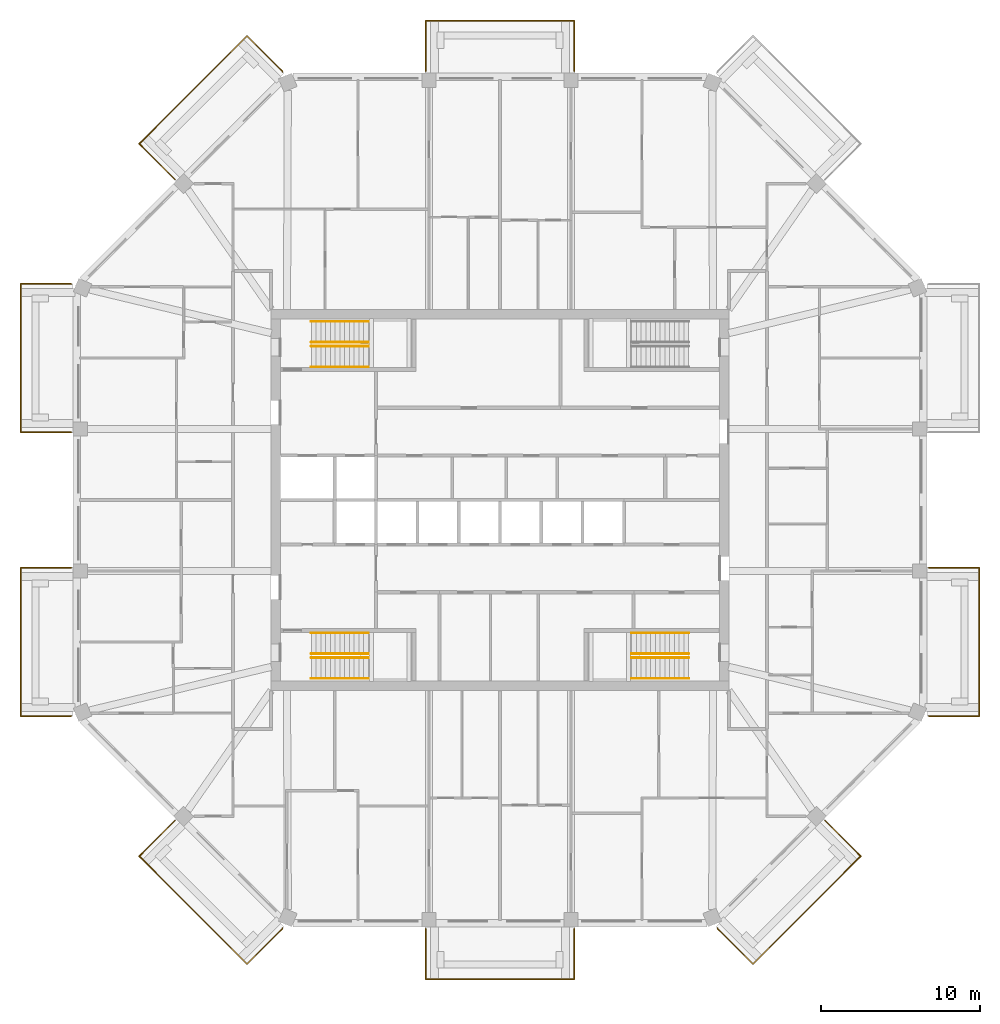
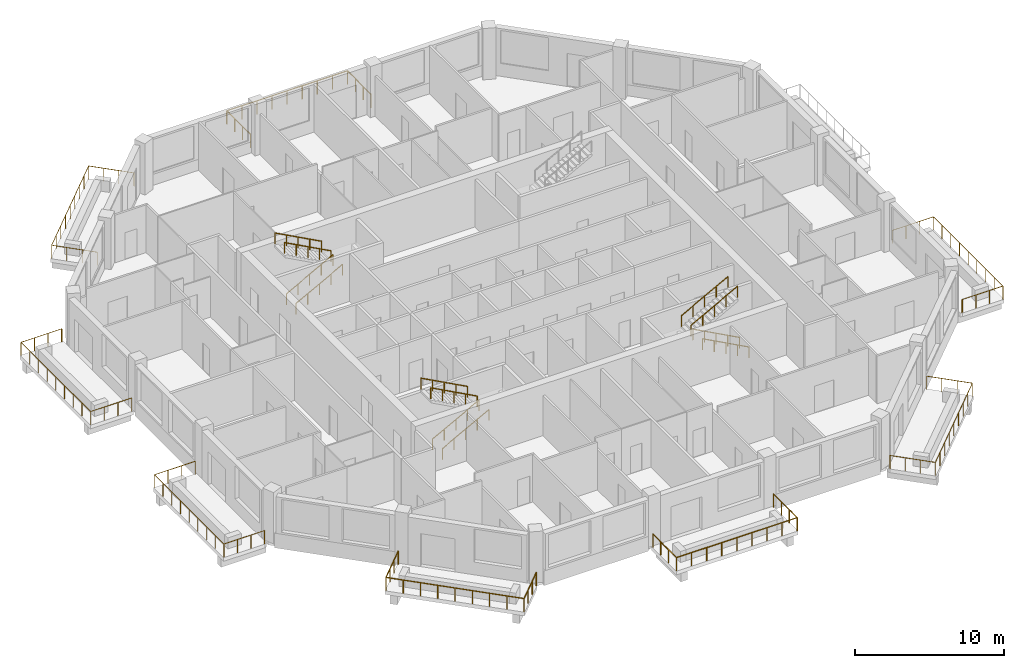
# One storey, part 11 of 12: 20 railings.
"""IFC4 building model written with IfcOpenShell, lengths in metres."""

from ifc_helpers import new_model, si_unit, direction, frame, origin, origin_2d, place, context, subcontext, project, spatial, circle, extrude, material, constituent, constituent_set, type_object, element, save


model = new_model("IFC4")

# Units and contexts
model_context = context("Model", 3, precision=1e-05, world=origin(), true_north=direction((0.0, 1.0)))
body_context = subcontext(model_context, "Body", "Model", "MODEL_VIEW")
ifc_project = project(units=[si_unit("LENGTHUNIT", "METRE"), si_unit("AREAUNIT", "SQUARE_METRE"), si_unit("VOLUMEUNIT", "CUBIC_METRE"), si_unit("PLANEANGLEUNIT", "RADIAN"), si_unit("MASSUNIT", "GRAM", prefix="KILO")], contexts=[model_context])

# Site, building, storey
site_placement = place(None, origin())
site = spatial("IfcSite", under=ifc_project, at=site_placement, CompositionType="ELEMENT")
building_placement = place(site_placement, origin())
building = spatial("IfcBuilding", under=site, at=building_placement, Name="Msitu Wima Residences", CompositionType="ELEMENT")
storey_placement = place(building_placement, frame((0.0, 0.0, 306.300048828125)))
storey = spatial("IfcBuildingStorey", under=building, at=storey_placement, Name="L71", CompositionType="ELEMENT", Elevation=306.300048828125)

# Railings
ifc_material_1 = material(Name="Steel S355", Category="steel")
ifc_constituent_1 = constituent(ifc_material_1, Name="Steel S355")
ifc_material_2 = material(Name="Weathering patina")
ifc_constituent_2 = constituent(ifc_material_2, Name="Weathering patina")
ifc_constituent_set_1 = constituent_set(constituents=[ifc_constituent_1, ifc_constituent_2], Name="Steel S355")
railing_type_1 = type_object("IfcRailingType", Name="Balcony guard GR1100", PredefinedType="GUARDRAIL", material=ifc_constituent_set_1)
railing_1_placement = place(storey_placement, frame((26.97998046875, -4.2685546875, 0.0)))
element("IfcRailing", 1, at=railing_1_placement, inside=storey, type_object=railing_type_1, Name="Balcony guard E0 L71", PredefinedType="GUARDRAIL", context=body_context, shape_type="SweptSolid", body=[
    extrude(circle(Radius=0.02392578125, at=origin_2d()), frame((0.0, 0.0, 1.076171875), z_axis=(1.0, 0.0, 0.0), x_axis=(0.0, 1.0, 0.0)), (0.0, 0.0, 1.0), 3.169921875),
    extrude(circle(Radius=0.02392578125, at=origin_2d()), frame((3.169921875, 0.0, 1.076171875), z_axis=(0.0, -1.0, 0.0), x_axis=(1.0, 0.0, 0.0)), (0.0, 0.0, 1.0), 9.33740234375),
    extrude(circle(Radius=0.02392578125, at=origin_2d()), frame((3.169921875, -9.33740234375, 1.076171875), z_axis=(-1.0, 0.0, 0.0), x_axis=(0.0, -1.0, 0.0)), (0.0, 0.0, 1.0), 3.136474609375),
    extrude(circle(Radius=0.02392578125, at=origin_2d()), frame((0.033447265625, -9.33740234375, 1.076171875), z_axis=(-0.923276184907, 0.384136806859, 0.0), x_axis=(-0.384136806859, -0.923276184907, 0.0)), (0.0, 0.0, 1.0), 0.0361328125),
    extrude(circle(Radius=0.02099609375, at=origin_2d()), origin(), (0.0, 0.0, 1.0), 1.052001953125),
    extrude(circle(Radius=0.02099609375, at=origin_2d()), frame((1.056640625, 0.0, 0.0)), (0.0, 0.0, 1.0), 1.052001953125),
    extrude(circle(Radius=0.02099609375, at=origin_2d()), frame((2.11328125, 0.0, 0.0)), (0.0, 0.0, 1.0), 1.052001953125),
    extrude(circle(Radius=0.02099609375, at=origin_2d()), frame((3.169921875, 0.0, 0.0)), (0.0, 0.0, 1.0), 1.052001953125),
    extrude(circle(Radius=0.02099609375, at=origin_2d()), frame((3.169921875, -1.167236328125, 0.0)), (0.0, 0.0, 1.0), 1.052001953125),
    extrude(circle(Radius=0.02099609375, at=origin_2d()), frame((3.169921875, -2.33447265625, 0.0)), (0.0, 0.0, 1.0), 1.052001953125),
    extrude(circle(Radius=0.02099609375, at=origin_2d()), frame((3.169921875, -3.50146484375, 0.0)), (0.0, 0.0, 1.0), 1.052001953125),
    extrude(circle(Radius=0.02099609375, at=origin_2d()), frame((3.169921875, -4.668701171875, 0.0)), (0.0, 0.0, 1.0), 1.052001953125),
    extrude(circle(Radius=0.02099609375, at=origin_2d()), frame((3.169921875, -5.8359375, 0.0)), (0.0, 0.0, 1.0), 1.052001953125),
    extrude(circle(Radius=0.02099609375, at=origin_2d()), frame((3.169921875, -7.0029296875, 0.0)), (0.0, 0.0, 1.0), 1.052001953125),
    extrude(circle(Radius=0.02099609375, at=origin_2d()), frame((3.169921875, -8.170166015625, 0.0)), (0.0, 0.0, 1.0), 1.052001953125),
    extrude(circle(Radius=0.02099609375, at=origin_2d()), frame((3.169921875, -9.33740234375, 0.0)), (0.0, 0.0, 1.0), 1.052001953125),
    extrude(circle(Radius=0.02099609375, at=origin_2d()), frame((2.12451171875, -9.33740234375, 0.0)), (0.0, 0.0, 1.0), 1.052001953125),
    extrude(circle(Radius=0.02099609375, at=origin_2d()), frame((1.078857421875, -9.33740234375, 0.0)), (0.0, 0.0, 1.0), 1.052001953125),
    extrude(circle(Radius=0.02099609375, at=origin_2d()), frame((0.033447265625, -9.33740234375, 0.0)), (0.0, 0.0, 1.0), 1.052001953125),
    extrude(circle(Radius=0.02099609375, at=origin_2d()), frame((0.0, -9.323486328125, 0.0)), (0.0, 0.0, 1.0), 1.052001953125),
])
railing_2_placement = place(storey_placement, frame((-4.668701171875, 26.97998046875, 0.0)))
element("IfcRailing", 2, at=railing_2_placement, inside=storey, type_object=railing_type_1, Name="Balcony guard N1 L71", PredefinedType="GUARDRAIL", context=body_context, shape_type="SweptSolid", body=[
    extrude(circle(Radius=0.02392578125, at=origin_2d()), frame((0.0, 0.0, 1.076171875), z_axis=(0.0, 1.0, 0.0), x_axis=(-1.0, 0.0, 0.0)), (0.0, 0.0, 1.0), 3.169921875),
    extrude(circle(Radius=0.02392578125, at=origin_2d()), frame((0.0, 3.169921875, 1.076171875), z_axis=(1.0, 0.0, 0.0), x_axis=(0.0, 1.0, 0.0)), (0.0, 0.0, 1.0), 9.33740234375),
    extrude(circle(Radius=0.02392578125, at=origin_2d()), frame((9.33740234375, 3.169921875, 1.076171875), z_axis=(0.0, -1.0, 0.0), x_axis=(1.0, 0.0, 0.0)), (0.0, 0.0, 1.0), 3.169921875),
    extrude(circle(Radius=0.02099609375, at=origin_2d()), origin(), (0.0, 0.0, 1.0), 1.052001953125),
    extrude(circle(Radius=0.02099609375, at=origin_2d()), frame((0.0, 1.056640625, 0.0)), (0.0, 0.0, 1.0), 1.052001953125),
    extrude(circle(Radius=0.02099609375, at=origin_2d()), frame((0.0, 2.11328125, 0.0)), (0.0, 0.0, 1.0), 1.052001953125),
    extrude(circle(Radius=0.02099609375, at=origin_2d()), frame((0.0, 3.169921875, 0.0)), (0.0, 0.0, 1.0), 1.052001953125),
    extrude(circle(Radius=0.02099609375, at=origin_2d()), frame((1.167236328125, 3.169921875, 0.0)), (0.0, 0.0, 1.0), 1.052001953125),
    extrude(circle(Radius=0.02099609375, at=origin_2d()), frame((2.33447265625, 3.169921875, 0.0)), (0.0, 0.0, 1.0), 1.052001953125),
    extrude(circle(Radius=0.02099609375, at=origin_2d()), frame((3.50146484375, 3.169921875, 0.0)), (0.0, 0.0, 1.0), 1.052001953125),
    extrude(circle(Radius=0.02099609375, at=origin_2d()), frame((4.668701171875, 3.169921875, 0.0)), (0.0, 0.0, 1.0), 1.052001953125),
    extrude(circle(Radius=0.02099609375, at=origin_2d()), frame((5.8359375, 3.169921875, 0.0)), (0.0, 0.0, 1.0), 1.052001953125),
    extrude(circle(Radius=0.02099609375, at=origin_2d()), frame((7.0029296875, 3.169921875, 0.0)), (0.0, 0.0, 1.0), 1.052001953125),
    extrude(circle(Radius=0.02099609375, at=origin_2d()), frame((8.170166015625, 3.169921875, 0.0)), (0.0, 0.0, 1.0), 1.052001953125),
    extrude(circle(Radius=0.02099609375, at=origin_2d()), frame((9.33740234375, 3.169921875, 0.0)), (0.0, 0.0, 1.0), 1.052001953125),
    extrude(circle(Radius=0.02099609375, at=origin_2d()), frame((9.33740234375, 2.11328125, 0.0)), (0.0, 0.0, 1.0), 1.052001953125),
    extrude(circle(Radius=0.02099609375, at=origin_2d()), frame((9.33740234375, 1.056640625, 0.0)), (0.0, 0.0, 1.0), 1.052001953125),
    extrude(circle(Radius=0.02099609375, at=origin_2d()), frame((9.33740234375, 0.0, 0.0)), (0.0, 0.0, 1.0), 1.052001953125),
])
railing_3_placement = place(storey_placement, frame((-20.45458984375, 20.171630859375, 0.0)))
element("IfcRailing", 3, at=railing_3_placement, inside=storey, type_object=railing_type_1, Name="Balcony guard NW0 L71", PredefinedType="GUARDRAIL", context=body_context, shape_type="SweptSolid", body=[
    extrude(circle(Radius=0.02392578125, at=origin_2d()), frame((0.0, 0.0, 1.076171875), z_axis=(-0.707106781187, 0.707106781187, 0.0), x_axis=(-0.707106781187, -0.707106781187, 0.0)), (0.0, 0.0, 1.0), 3.169921875),
    extrude(circle(Radius=0.02392578125, at=origin_2d()), frame((-2.241455078125, 2.241455078125, 1.076171875), z_axis=(0.707106781187, 0.707106781187, 0.0), x_axis=(-0.707106781187, 0.707106781187, 0.0)), (0.0, 0.0, 1.0), 9.58837890625),
    extrude(circle(Radius=0.02392578125, at=origin_2d()), frame((4.53857421875, 9.021484375, 1.076171875), z_axis=(0.707106781187, -0.707106781187, 0.0), x_axis=(0.707106781187, 0.707106781187, 0.0)), (0.0, 0.0, 1.0), 3.136474609375),
    extrude(circle(Radius=0.02392578125, at=origin_2d()), frame((6.75634765625, 6.8037109375, 1.076171875), z_axis=(0.38176015442, -0.92426142649, 0.0), x_axis=(0.92426142649, 0.38176015442, 0.0)), (0.0, 0.0, 1.0), 0.036376953125),
    extrude(circle(Radius=0.02099609375, at=origin_2d()), origin(), (0.0, 0.0, 1.0), 1.052001953125),
    extrude(circle(Radius=0.02099609375, at=origin_2d()), frame((-0.7470703125, 0.7470703125, 0.0)), (0.0, 0.0, 1.0), 1.052001953125),
    extrude(circle(Radius=0.02099609375, at=origin_2d()), frame((-1.494384765625, 1.494384765625, 0.0)), (0.0, 0.0, 1.0), 1.052001953125),
    extrude(circle(Radius=0.02099609375, at=origin_2d()), frame((-2.241455078125, 2.241455078125, 0.0)), (0.0, 0.0, 1.0), 1.052001953125),
    extrude(circle(Radius=0.02099609375, at=origin_2d()), frame((-1.39404296875, 3.0888671875, 0.0)), (0.0, 0.0, 1.0), 1.052001953125),
    extrude(circle(Radius=0.02099609375, at=origin_2d()), frame((-0.54638671875, 3.9365234375, 0.0)), (0.0, 0.0, 1.0), 1.052001953125),
    extrude(circle(Radius=0.02099609375, at=origin_2d()), frame((0.301025390625, 4.783935546875, 0.0)), (0.0, 0.0, 1.0), 1.052001953125),
    extrude(circle(Radius=0.02099609375, at=origin_2d()), frame((1.1484375, 5.63134765625, 0.0)), (0.0, 0.0, 1.0), 1.052001953125),
    extrude(circle(Radius=0.02099609375, at=origin_2d()), frame((1.99609375, 6.47900390625, 0.0)), (0.0, 0.0, 1.0), 1.052001953125),
    extrude(circle(Radius=0.02099609375, at=origin_2d()), frame((2.843505859375, 7.326416015625, 0.0)), (0.0, 0.0, 1.0), 1.052001953125),
    extrude(circle(Radius=0.02099609375, at=origin_2d()), frame((3.691162109375, 8.174072265625, 0.0)), (0.0, 0.0, 1.0), 1.052001953125),
    extrude(circle(Radius=0.02099609375, at=origin_2d()), frame((4.53857421875, 9.021484375, 0.0)), (0.0, 0.0, 1.0), 1.052001953125),
    extrude(circle(Radius=0.02099609375, at=origin_2d()), frame((5.27783203125, 8.2822265625, 0.0)), (0.0, 0.0, 1.0), 1.052001953125),
    extrude(circle(Radius=0.02099609375, at=origin_2d()), frame((6.01708984375, 7.54296875, 0.0)), (0.0, 0.0, 1.0), 1.052001953125),
    extrude(circle(Radius=0.02099609375, at=origin_2d()), frame((6.75634765625, 6.8037109375, 0.0)), (0.0, 0.0, 1.0), 1.052001953125),
    extrude(circle(Radius=0.02099609375, at=origin_2d()), frame((6.770263671875, 6.77001953125, 0.0)), (0.0, 0.0, 1.0), 1.052001953125),
])
railing_4_placement = place(storey_placement, frame((-26.97998046875, 4.2685546875, 0.0)))
element("IfcRailing", 4, at=railing_4_placement, inside=storey, type_object=railing_type_1, Name="Balcony guard W0 L71", PredefinedType="GUARDRAIL", context=body_context, shape_type="SweptSolid", body=[
    extrude(circle(Radius=0.02392578125, at=origin_2d()), frame((0.0, 0.0, 1.076171875), z_axis=(-1.0, 0.0, 0.0), x_axis=(0.0, -1.0, 0.0)), (0.0, 0.0, 1.0), 3.169921875),
    extrude(circle(Radius=0.02392578125, at=origin_2d()), frame((-3.169921875, 0.0, 1.076171875), z_axis=(0.0, 1.0, 0.0), x_axis=(-1.0, 0.0, 0.0)), (0.0, 0.0, 1.0), 9.33740234375),
    extrude(circle(Radius=0.02392578125, at=origin_2d()), frame((-3.169921875, 9.33740234375, 1.076171875), z_axis=(1.0, 0.0, 0.0), x_axis=(0.0, 1.0, 0.0)), (0.0, 0.0, 1.0), 3.136474609375),
    extrude(circle(Radius=0.02392578125, at=origin_2d()), frame((-0.033447265625, 9.33740234375, 1.076171875), z_axis=(0.923276184907, -0.384136806859, 0.0), x_axis=(0.384136806859, 0.923276184907, 0.0)), (0.0, 0.0, 1.0), 0.0361328125),
    extrude(circle(Radius=0.02099609375, at=origin_2d()), origin(), (0.0, 0.0, 1.0), 1.052001953125),
    extrude(circle(Radius=0.02099609375, at=origin_2d()), frame((-1.056640625, 0.0, 0.0)), (0.0, 0.0, 1.0), 1.052001953125),
    extrude(circle(Radius=0.02099609375, at=origin_2d()), frame((-2.11328125, 0.0, 0.0)), (0.0, 0.0, 1.0), 1.052001953125),
    extrude(circle(Radius=0.02099609375, at=origin_2d()), frame((-3.169921875, 0.0, 0.0)), (0.0, 0.0, 1.0), 1.052001953125),
    extrude(circle(Radius=0.02099609375, at=origin_2d()), frame((-3.169921875, 1.167236328125, 0.0)), (0.0, 0.0, 1.0), 1.052001953125),
    extrude(circle(Radius=0.02099609375, at=origin_2d()), frame((-3.169921875, 2.33447265625, 0.0)), (0.0, 0.0, 1.0), 1.052001953125),
    extrude(circle(Radius=0.02099609375, at=origin_2d()), frame((-3.169921875, 3.50146484375, 0.0)), (0.0, 0.0, 1.0), 1.052001953125),
    extrude(circle(Radius=0.02099609375, at=origin_2d()), frame((-3.169921875, 4.668701171875, 0.0)), (0.0, 0.0, 1.0), 1.052001953125),
    extrude(circle(Radius=0.02099609375, at=origin_2d()), frame((-3.169921875, 5.8359375, 0.0)), (0.0, 0.0, 1.0), 1.052001953125),
    extrude(circle(Radius=0.02099609375, at=origin_2d()), frame((-3.169921875, 7.0029296875, 0.0)), (0.0, 0.0, 1.0), 1.052001953125),
    extrude(circle(Radius=0.02099609375, at=origin_2d()), frame((-3.169921875, 8.170166015625, 0.0)), (0.0, 0.0, 1.0), 1.052001953125),
    extrude(circle(Radius=0.02099609375, at=origin_2d()), frame((-3.169921875, 9.33740234375, 0.0)), (0.0, 0.0, 1.0), 1.052001953125),
    extrude(circle(Radius=0.02099609375, at=origin_2d()), frame((-2.12451171875, 9.33740234375, 0.0)), (0.0, 0.0, 1.0), 1.052001953125),
    extrude(circle(Radius=0.02099609375, at=origin_2d()), frame((-1.078857421875, 9.33740234375, 0.0)), (0.0, 0.0, 1.0), 1.052001953125),
    extrude(circle(Radius=0.02099609375, at=origin_2d()), frame((-0.033447265625, 9.33740234375, 0.0)), (0.0, 0.0, 1.0), 1.052001953125),
    extrude(circle(Radius=0.02099609375, at=origin_2d()), frame((0.0, 9.323486328125, 0.0)), (0.0, 0.0, 1.0), 1.052001953125),
])
railing_5_placement = place(storey_placement, frame((-26.97998046875, -13.592041015625, 0.0)))
element("IfcRailing", 5, at=railing_5_placement, inside=storey, type_object=railing_type_1, Name="Balcony guard W2 L71", PredefinedType="GUARDRAIL", context=body_context, shape_type="SweptSolid", body=[
    extrude(circle(Radius=0.02392578125, at=origin_2d()), frame((0.0, 0.0, 1.076171875), z_axis=(-0.923276184907, -0.384136806859, 0.0), x_axis=(0.384136806859, -0.923276184907, 0.0)), (0.0, 0.0, 1.0), 0.0361328125),
    extrude(circle(Radius=0.02392578125, at=origin_2d()), frame((-0.033447265625, -0.013916015625, 1.076171875), z_axis=(-1.0, 0.0, 0.0), x_axis=(0.0, -1.0, 0.0)), (0.0, 0.0, 1.0), 3.136474609375),
    extrude(circle(Radius=0.02392578125, at=origin_2d()), frame((-3.169921875, -0.013916015625, 1.076171875), z_axis=(0.0, 1.0, 0.0), x_axis=(-1.0, 0.0, 0.0)), (0.0, 0.0, 1.0), 9.33740234375),
    extrude(circle(Radius=0.02392578125, at=origin_2d()), frame((-3.169921875, 9.323486328125, 1.076171875), z_axis=(1.0, 0.0, 0.0), x_axis=(0.0, 1.0, 0.0)), (0.0, 0.0, 1.0), 3.169921875),
    extrude(circle(Radius=0.02099609375, at=origin_2d()), origin(), (0.0, 0.0, 1.0), 1.052001953125),
    extrude(circle(Radius=0.02099609375, at=origin_2d()), frame((-0.033447265625, -0.013916015625, 0.0)), (0.0, 0.0, 1.0), 1.052001953125),
    extrude(circle(Radius=0.02099609375, at=origin_2d()), frame((-1.078857421875, -0.013916015625, 0.0)), (0.0, 0.0, 1.0), 1.052001953125),
    extrude(circle(Radius=0.02099609375, at=origin_2d()), frame((-2.12451171875, -0.013916015625, 0.0)), (0.0, 0.0, 1.0), 1.052001953125),
    extrude(circle(Radius=0.02099609375, at=origin_2d()), frame((-3.169921875, -0.013916015625, 0.0)), (0.0, 0.0, 1.0), 1.052001953125),
    extrude(circle(Radius=0.02099609375, at=origin_2d()), frame((-3.169921875, 1.1533203125, 0.0)), (0.0, 0.0, 1.0), 1.052001953125),
    extrude(circle(Radius=0.02099609375, at=origin_2d()), frame((-3.169921875, 2.3203125, 0.0)), (0.0, 0.0, 1.0), 1.052001953125),
    extrude(circle(Radius=0.02099609375, at=origin_2d()), frame((-3.169921875, 3.487548828125, 0.0)), (0.0, 0.0, 1.0), 1.052001953125),
    extrude(circle(Radius=0.02099609375, at=origin_2d()), frame((-3.169921875, 4.65478515625, 0.0)), (0.0, 0.0, 1.0), 1.052001953125),
    extrude(circle(Radius=0.02099609375, at=origin_2d()), frame((-3.169921875, 5.822021484375, 0.0)), (0.0, 0.0, 1.0), 1.052001953125),
    extrude(circle(Radius=0.02099609375, at=origin_2d()), frame((-3.169921875, 6.9892578125, 0.0)), (0.0, 0.0, 1.0), 1.052001953125),
    extrude(circle(Radius=0.02099609375, at=origin_2d()), frame((-3.169921875, 8.15625, 0.0)), (0.0, 0.0, 1.0), 1.052001953125),
    extrude(circle(Radius=0.02099609375, at=origin_2d()), frame((-3.169921875, 9.323486328125, 0.0)), (0.0, 0.0, 1.0), 1.052001953125),
    extrude(circle(Radius=0.02099609375, at=origin_2d()), frame((-2.11328125, 9.323486328125, 0.0)), (0.0, 0.0, 1.0), 1.052001953125),
    extrude(circle(Radius=0.02099609375, at=origin_2d()), frame((-1.056640625, 9.323486328125, 0.0)), (0.0, 0.0, 1.0), 1.052001953125),
    extrude(circle(Radius=0.02099609375, at=origin_2d()), frame((0.0, 9.323486328125, 0.0)), (0.0, 0.0, 1.0), 1.052001953125),
])
railing_6_placement = place(storey_placement, frame((-13.684326171875, -26.941650390625, 0.0)))
element("IfcRailing", 6, at=railing_6_placement, inside=storey, type_object=railing_type_1, Name="Balcony guard SW1 L71", PredefinedType="GUARDRAIL", context=body_context, shape_type="SweptSolid", body=[
    extrude(circle(Radius=0.02392578125, at=origin_2d()), frame((0.0, 0.0, 1.076171875), z_axis=(-0.38176015442, -0.92426142649, 0.0), x_axis=(0.92426142649, -0.38176015442, 0.0)), (0.0, 0.0, 1.0), 0.036376953125),
    extrude(circle(Radius=0.02392578125, at=origin_2d()), frame((-0.013916015625, -0.03369140625, 1.076171875), z_axis=(-0.707106781187, -0.707106781187, 0.0), x_axis=(0.707106781187, -0.707106781187, 0.0)), (0.0, 0.0, 1.0), 3.136474609375),
    extrude(circle(Radius=0.02392578125, at=origin_2d()), frame((-2.231689453125, -2.25146484375, 1.076171875), z_axis=(-0.707106781187, 0.707106781187, 0.0), x_axis=(-0.707106781187, -0.707106781187, 0.0)), (0.0, 0.0, 1.0), 9.58837890625),
    extrude(circle(Radius=0.02392578125, at=origin_2d()), frame((-9.01171875, 4.528564453125, 1.076171875), z_axis=(0.707106781187, 0.707106781187, 0.0), x_axis=(-0.707106781187, 0.707106781187, 0.0)), (0.0, 0.0, 1.0), 3.169921875),
    extrude(circle(Radius=0.02099609375, at=origin_2d()), origin(), (0.0, 0.0, 1.0), 1.052001953125),
    extrude(circle(Radius=0.02099609375, at=origin_2d()), frame((-0.013916015625, -0.03369140625, 0.0)), (0.0, 0.0, 1.0), 1.052001953125),
    extrude(circle(Radius=0.02099609375, at=origin_2d()), frame((-0.753173828125, -0.77294921875, 0.0)), (0.0, 0.0, 1.0), 1.052001953125),
    extrude(circle(Radius=0.02099609375, at=origin_2d()), frame((-1.492431640625, -1.51220703125, 0.0)), (0.0, 0.0, 1.0), 1.052001953125),
    extrude(circle(Radius=0.02099609375, at=origin_2d()), frame((-2.231689453125, -2.25146484375, 0.0)), (0.0, 0.0, 1.0), 1.052001953125),
    extrude(circle(Radius=0.02099609375, at=origin_2d()), frame((-3.0791015625, -1.404052734375, 0.0)), (0.0, 0.0, 1.0), 1.052001953125),
    extrude(circle(Radius=0.02099609375, at=origin_2d()), frame((-3.9267578125, -0.556396484375, 0.0)), (0.0, 0.0, 1.0), 1.052001953125),
    extrude(circle(Radius=0.02099609375, at=origin_2d()), frame((-4.774169921875, 0.291015625, 0.0)), (0.0, 0.0, 1.0), 1.052001953125),
    extrude(circle(Radius=0.02099609375, at=origin_2d()), frame((-5.62158203125, 1.138671875, 0.0)), (0.0, 0.0, 1.0), 1.052001953125),
    extrude(circle(Radius=0.02099609375, at=origin_2d()), frame((-6.46923828125, 1.986083984375, 0.0)), (0.0, 0.0, 1.0), 1.052001953125),
    extrude(circle(Radius=0.02099609375, at=origin_2d()), frame((-7.316650390625, 2.83349609375, 0.0)), (0.0, 0.0, 1.0), 1.052001953125),
    extrude(circle(Radius=0.02099609375, at=origin_2d()), frame((-8.164306640625, 3.68115234375, 0.0)), (0.0, 0.0, 1.0), 1.052001953125),
    extrude(circle(Radius=0.02099609375, at=origin_2d()), frame((-9.01171875, 4.528564453125, 0.0)), (0.0, 0.0, 1.0), 1.052001953125),
    extrude(circle(Radius=0.02099609375, at=origin_2d()), frame((-8.2646484375, 5.275634765625, 0.0)), (0.0, 0.0, 1.0), 1.052001953125),
    extrude(circle(Radius=0.02099609375, at=origin_2d()), frame((-7.517333984375, 6.02294921875, 0.0)), (0.0, 0.0, 1.0), 1.052001953125),
    extrude(circle(Radius=0.02099609375, at=origin_2d()), frame((-6.770263671875, 6.77001953125, 0.0)), (0.0, 0.0, 1.0), 1.052001953125),
])
railing_7_placement = place(storey_placement, frame((4.668701171875, -26.97998046875, 0.0)))
element("IfcRailing", 7, at=railing_7_placement, inside=storey, type_object=railing_type_1, Name="Balcony guard S1 L71", PredefinedType="GUARDRAIL", context=body_context, shape_type="SweptSolid", body=[
    extrude(circle(Radius=0.02392578125, at=origin_2d()), frame((0.0, 0.0, 1.076171875), z_axis=(0.0, -1.0, 0.0), x_axis=(1.0, 0.0, 0.0)), (0.0, 0.0, 1.0), 3.169921875),
    extrude(circle(Radius=0.02392578125, at=origin_2d()), frame((0.0, -3.169921875, 1.076171875), z_axis=(-1.0, 0.0, 0.0), x_axis=(0.0, -1.0, 0.0)), (0.0, 0.0, 1.0), 9.33740234375),
    extrude(circle(Radius=0.02392578125, at=origin_2d()), frame((-9.33740234375, -3.169921875, 1.076171875), z_axis=(0.0, 1.0, 0.0), x_axis=(-1.0, 0.0, 0.0)), (0.0, 0.0, 1.0), 3.169921875),
    extrude(circle(Radius=0.02099609375, at=origin_2d()), origin(), (0.0, 0.0, 1.0), 1.052001953125),
    extrude(circle(Radius=0.02099609375, at=origin_2d()), frame((0.0, -1.056640625, 0.0)), (0.0, 0.0, 1.0), 1.052001953125),
    extrude(circle(Radius=0.02099609375, at=origin_2d()), frame((0.0, -2.11328125, 0.0)), (0.0, 0.0, 1.0), 1.052001953125),
    extrude(circle(Radius=0.02099609375, at=origin_2d()), frame((0.0, -3.169921875, 0.0)), (0.0, 0.0, 1.0), 1.052001953125),
    extrude(circle(Radius=0.02099609375, at=origin_2d()), frame((-1.167236328125, -3.169921875, 0.0)), (0.0, 0.0, 1.0), 1.052001953125),
    extrude(circle(Radius=0.02099609375, at=origin_2d()), frame((-2.33447265625, -3.169921875, 0.0)), (0.0, 0.0, 1.0), 1.052001953125),
    extrude(circle(Radius=0.02099609375, at=origin_2d()), frame((-3.50146484375, -3.169921875, 0.0)), (0.0, 0.0, 1.0), 1.052001953125),
    extrude(circle(Radius=0.02099609375, at=origin_2d()), frame((-4.668701171875, -3.169921875, 0.0)), (0.0, 0.0, 1.0), 1.052001953125),
    extrude(circle(Radius=0.02099609375, at=origin_2d()), frame((-5.8359375, -3.169921875, 0.0)), (0.0, 0.0, 1.0), 1.052001953125),
    extrude(circle(Radius=0.02099609375, at=origin_2d()), frame((-7.0029296875, -3.169921875, 0.0)), (0.0, 0.0, 1.0), 1.052001953125),
    extrude(circle(Radius=0.02099609375, at=origin_2d()), frame((-8.170166015625, -3.169921875, 0.0)), (0.0, 0.0, 1.0), 1.052001953125),
    extrude(circle(Radius=0.02099609375, at=origin_2d()), frame((-9.33740234375, -3.169921875, 0.0)), (0.0, 0.0, 1.0), 1.052001953125),
    extrude(circle(Radius=0.02099609375, at=origin_2d()), frame((-9.33740234375, -2.11328125, 0.0)), (0.0, 0.0, 1.0), 1.052001953125),
    extrude(circle(Radius=0.02099609375, at=origin_2d()), frame((-9.33740234375, -1.056640625, 0.0)), (0.0, 0.0, 1.0), 1.052001953125),
    extrude(circle(Radius=0.02099609375, at=origin_2d()), frame((-9.33740234375, 0.0, 0.0)), (0.0, 0.0, 1.0), 1.052001953125),
])
railing_8_placement = place(storey_placement, frame((20.45458984375, -20.171630859375, 0.0)))
element("IfcRailing", 8, at=railing_8_placement, inside=storey, type_object=railing_type_1, Name="Balcony guard SE0 L71", PredefinedType="GUARDRAIL", context=body_context, shape_type="SweptSolid", body=[
    extrude(circle(Radius=0.02392578125, at=origin_2d()), frame((0.0, 0.0, 1.076171875), z_axis=(0.707106781187, -0.707106781187, 0.0), x_axis=(0.707106781187, 0.707106781187, 0.0)), (0.0, 0.0, 1.0), 3.169921875),
    extrude(circle(Radius=0.02392578125, at=origin_2d()), frame((2.241455078125, -2.241455078125, 1.076171875), z_axis=(-0.707106781187, -0.707106781187, 0.0), x_axis=(0.707106781187, -0.707106781187, 0.0)), (0.0, 0.0, 1.0), 9.58837890625),
    extrude(circle(Radius=0.02392578125, at=origin_2d()), frame((-4.53857421875, -9.021484375, 1.076171875), z_axis=(-0.707106781187, 0.707106781187, 0.0), x_axis=(-0.707106781187, -0.707106781187, 0.0)), (0.0, 0.0, 1.0), 3.136474609375),
    extrude(circle(Radius=0.02392578125, at=origin_2d()), frame((-6.75634765625, -6.8037109375, 1.076171875), z_axis=(-0.38176015442, 0.92426142649, 0.0), x_axis=(-0.92426142649, -0.38176015442, 0.0)), (0.0, 0.0, 1.0), 0.036376953125),
    extrude(circle(Radius=0.02099609375, at=origin_2d()), origin(), (0.0, 0.0, 1.0), 1.052001953125),
    extrude(circle(Radius=0.02099609375, at=origin_2d()), frame((0.7470703125, -0.7470703125, 0.0)), (0.0, 0.0, 1.0), 1.052001953125),
    extrude(circle(Radius=0.02099609375, at=origin_2d()), frame((1.494384765625, -1.494384765625, 0.0)), (0.0, 0.0, 1.0), 1.052001953125),
    extrude(circle(Radius=0.02099609375, at=origin_2d()), frame((2.241455078125, -2.241455078125, 0.0)), (0.0, 0.0, 1.0), 1.052001953125),
    extrude(circle(Radius=0.02099609375, at=origin_2d()), frame((1.39404296875, -3.0888671875, 0.0)), (0.0, 0.0, 1.0), 1.052001953125),
    extrude(circle(Radius=0.02099609375, at=origin_2d()), frame((0.54638671875, -3.9365234375, 0.0)), (0.0, 0.0, 1.0), 1.052001953125),
    extrude(circle(Radius=0.02099609375, at=origin_2d()), frame((-0.301025390625, -4.783935546875, 0.0)), (0.0, 0.0, 1.0), 1.052001953125),
    extrude(circle(Radius=0.02099609375, at=origin_2d()), frame((-1.1484375, -5.63134765625, 0.0)), (0.0, 0.0, 1.0), 1.052001953125),
    extrude(circle(Radius=0.02099609375, at=origin_2d()), frame((-1.99609375, -6.47900390625, 0.0)), (0.0, 0.0, 1.0), 1.052001953125),
    extrude(circle(Radius=0.02099609375, at=origin_2d()), frame((-2.843505859375, -7.326416015625, 0.0)), (0.0, 0.0, 1.0), 1.052001953125),
    extrude(circle(Radius=0.02099609375, at=origin_2d()), frame((-3.691162109375, -8.174072265625, 0.0)), (0.0, 0.0, 1.0), 1.052001953125),
    extrude(circle(Radius=0.02099609375, at=origin_2d()), frame((-4.53857421875, -9.021484375, 0.0)), (0.0, 0.0, 1.0), 1.052001953125),
    extrude(circle(Radius=0.02099609375, at=origin_2d()), frame((-5.27783203125, -8.2822265625, 0.0)), (0.0, 0.0, 1.0), 1.052001953125),
    extrude(circle(Radius=0.02099609375, at=origin_2d()), frame((-6.01708984375, -7.54296875, 0.0)), (0.0, 0.0, 1.0), 1.052001953125),
    extrude(circle(Radius=0.02099609375, at=origin_2d()), frame((-6.75634765625, -6.8037109375, 0.0)), (0.0, 0.0, 1.0), 1.052001953125),
    extrude(circle(Radius=0.02099609375, at=origin_2d()), frame((-6.770263671875, -6.77001953125, 0.0)), (0.0, 0.0, 1.0), 1.052001953125),
])
ifc_constituent_3 = constituent(ifc_material_1, Name="Steel S355")
ifc_material_3 = material(Name="Black powder coating")
ifc_constituent_4 = constituent(ifc_material_3, Name="Black powder coating")
ifc_constituent_set_2 = constituent_set(constituents=[ifc_constituent_3, ifc_constituent_4], Name="Steel S355")
railing_type_2 = type_object("IfcRailingType", Name="Stair handrail HR1", PredefinedType="HANDRAIL", material=ifc_constituent_set_2)
for number, where, name in (
    (9, (-11.875, 8.375, 0.161376953125), "Stair 1 handrail"),
    (10, (-11.875, 9.675048828125, 0.161376953125), "Stair 1 handrail"),
):
    element("IfcRailing", number, at=place(storey_placement, frame(where)), inside=storey, type_object=railing_type_2, Name=name, PredefinedType="HANDRAIL", context=body_context, shape_type="SweptSolid", body=[
        extrude(circle(Radius=0.02392578125, at=origin_2d()), frame((0.0, 0.0, 0.8759765625), z_axis=(0.880474934443, 0.0, 0.474092701714), x_axis=(0.0, 1.0, 0.0)), (0.0, 0.0, 1.0), 4.0888671875),
        extrude(circle(Radius=0.02099609375, at=origin_2d()), origin(), (0.0, 0.0, 1.0), 0.851806640625),
        extrude(circle(Radius=0.02099609375, at=origin_2d()), frame((0.89990234375, 0.0, 0.484619140625)), (0.0, 0.0, 1.0), 0.851806640625),
        extrude(circle(Radius=0.02099609375, at=origin_2d()), frame((1.800048828125, 0.0, 0.96923828125)), (0.0, 0.0, 1.0), 0.851806640625),
        extrude(circle(Radius=0.02099609375, at=origin_2d()), frame((2.7001953125, 0.0, 1.453857421875)), (0.0, 0.0, 1.0), 0.851806640625),
        extrude(circle(Radius=0.02099609375, at=origin_2d()), frame((3.60009765625, 0.0, 1.9384765625)), (0.0, 0.0, 1.0), 0.851806640625),
    ])
for number, where, name in (
    (11, (-8.27490234375, 9.925048828125, 2.261474609375), "Stair 1 handrail"),
    (12, (-8.27490234375, 11.22509765625, 2.261474609375), "Stair 1 handrail"),
):
    element("IfcRailing", number, at=place(storey_placement, frame(where)), inside=storey, type_object=railing_type_2, Name=name, PredefinedType="HANDRAIL", context=body_context, shape_type="SweptSolid", body=[
        extrude(circle(Radius=0.02392578125, at=origin_2d()), frame((0.0, 0.0, 0.8759765625), z_axis=(-0.880474934443, 0.0, 0.474092701714), x_axis=(0.0, -1.0, 0.0)), (0.0, 0.0, 1.0), 4.0888671875),
        extrude(circle(Radius=0.02099609375, at=origin_2d()), origin(), (0.0, 0.0, 1.0), 0.851806640625),
        extrude(circle(Radius=0.02099609375, at=origin_2d()), frame((-0.89990234375, 0.0, 0.484619140625)), (0.0, 0.0, 1.0), 0.851806640625),
        extrude(circle(Radius=0.02099609375, at=origin_2d()), frame((-1.800048828125, 0.0, 0.96923828125)), (0.0, 0.0, 1.0), 0.851806640625),
        extrude(circle(Radius=0.02099609375, at=origin_2d()), frame((-2.7001953125, 0.0, 1.453857421875)), (0.0, 0.0, 1.0), 0.851806640625),
        extrude(circle(Radius=0.02099609375, at=origin_2d()), frame((-3.60009765625, 0.0, 1.9384765625)), (0.0, 0.0, 1.0), 0.851806640625),
    ])
for number, where, name in (
    (13, (-11.875, -11.22509765625, 0.161376953125), "Stair 2 handrail"),
    (14, (-11.875, -9.925048828125, 0.161376953125), "Stair 2 handrail"),
):
    element("IfcRailing", number, at=place(storey_placement, frame(where)), inside=storey, type_object=railing_type_2, Name=name, PredefinedType="HANDRAIL", context=body_context, shape_type="SweptSolid", body=[
        extrude(circle(Radius=0.02392578125, at=origin_2d()), frame((0.0, 0.0, 0.8759765625), z_axis=(0.880474934443, 0.0, 0.474092701714), x_axis=(0.0, 1.0, 0.0)), (0.0, 0.0, 1.0), 4.0888671875),
        extrude(circle(Radius=0.02099609375, at=origin_2d()), origin(), (0.0, 0.0, 1.0), 0.851806640625),
        extrude(circle(Radius=0.02099609375, at=origin_2d()), frame((0.89990234375, 0.0, 0.484619140625)), (0.0, 0.0, 1.0), 0.851806640625),
        extrude(circle(Radius=0.02099609375, at=origin_2d()), frame((1.800048828125, 0.0, 0.96923828125)), (0.0, 0.0, 1.0), 0.851806640625),
        extrude(circle(Radius=0.02099609375, at=origin_2d()), frame((2.7001953125, 0.0, 1.453857421875)), (0.0, 0.0, 1.0), 0.851806640625),
        extrude(circle(Radius=0.02099609375, at=origin_2d()), frame((3.60009765625, 0.0, 1.9384765625)), (0.0, 0.0, 1.0), 0.851806640625),
    ])
for number, where, name in (
    (15, (-8.27490234375, -9.675048828125, 2.261474609375), "Stair 2 handrail"),
    (16, (-8.27490234375, -8.375, 2.261474609375), "Stair 2 handrail"),
    (17, (11.875, -11.22509765625, 0.161376953125), "Stair 4 handrail"),
    (18, (11.875, -9.925048828125, 0.161376953125), "Stair 4 handrail"),
):
    element("IfcRailing", number, at=place(storey_placement, frame(where)), inside=storey, type_object=railing_type_2, Name=name, PredefinedType="HANDRAIL", context=body_context, shape_type="SweptSolid", body=[
        extrude(circle(Radius=0.02392578125, at=origin_2d()), frame((0.0, 0.0, 0.8759765625), z_axis=(-0.880474934443, 0.0, 0.474092701714), x_axis=(0.0, -1.0, 0.0)), (0.0, 0.0, 1.0), 4.0888671875),
        extrude(circle(Radius=0.02099609375, at=origin_2d()), origin(), (0.0, 0.0, 1.0), 0.851806640625),
        extrude(circle(Radius=0.02099609375, at=origin_2d()), frame((-0.89990234375, 0.0, 0.484619140625)), (0.0, 0.0, 1.0), 0.851806640625),
        extrude(circle(Radius=0.02099609375, at=origin_2d()), frame((-1.800048828125, 0.0, 0.96923828125)), (0.0, 0.0, 1.0), 0.851806640625),
        extrude(circle(Radius=0.02099609375, at=origin_2d()), frame((-2.7001953125, 0.0, 1.453857421875)), (0.0, 0.0, 1.0), 0.851806640625),
        extrude(circle(Radius=0.02099609375, at=origin_2d()), frame((-3.60009765625, 0.0, 1.9384765625)), (0.0, 0.0, 1.0), 0.851806640625),
    ])
for number, where, name in (
    (19, (8.27490234375, -9.675048828125, 2.261474609375), "Stair 4 handrail"),
    (20, (8.27490234375, -8.375, 2.261474609375), "Stair 4 handrail"),
):
    element("IfcRailing", number, at=place(storey_placement, frame(where)), inside=storey, type_object=railing_type_2, Name=name, PredefinedType="HANDRAIL", context=body_context, shape_type="SweptSolid", body=[
        extrude(circle(Radius=0.02392578125, at=origin_2d()), frame((0.0, 0.0, 0.8759765625), z_axis=(0.880474934443, 0.0, 0.474092701714), x_axis=(0.0, 1.0, 0.0)), (0.0, 0.0, 1.0), 4.0888671875),
        extrude(circle(Radius=0.02099609375, at=origin_2d()), origin(), (0.0, 0.0, 1.0), 0.851806640625),
        extrude(circle(Radius=0.02099609375, at=origin_2d()), frame((0.89990234375, 0.0, 0.484619140625)), (0.0, 0.0, 1.0), 0.851806640625),
        extrude(circle(Radius=0.02099609375, at=origin_2d()), frame((1.800048828125, 0.0, 0.96923828125)), (0.0, 0.0, 1.0), 0.851806640625),
        extrude(circle(Radius=0.02099609375, at=origin_2d()), frame((2.7001953125, 0.0, 1.453857421875)), (0.0, 0.0, 1.0), 0.851806640625),
        extrude(circle(Radius=0.02099609375, at=origin_2d()), frame((3.60009765625, 0.0, 1.9384765625)), (0.0, 0.0, 1.0), 0.851806640625),
    ])

save(model, "model.ifc")
